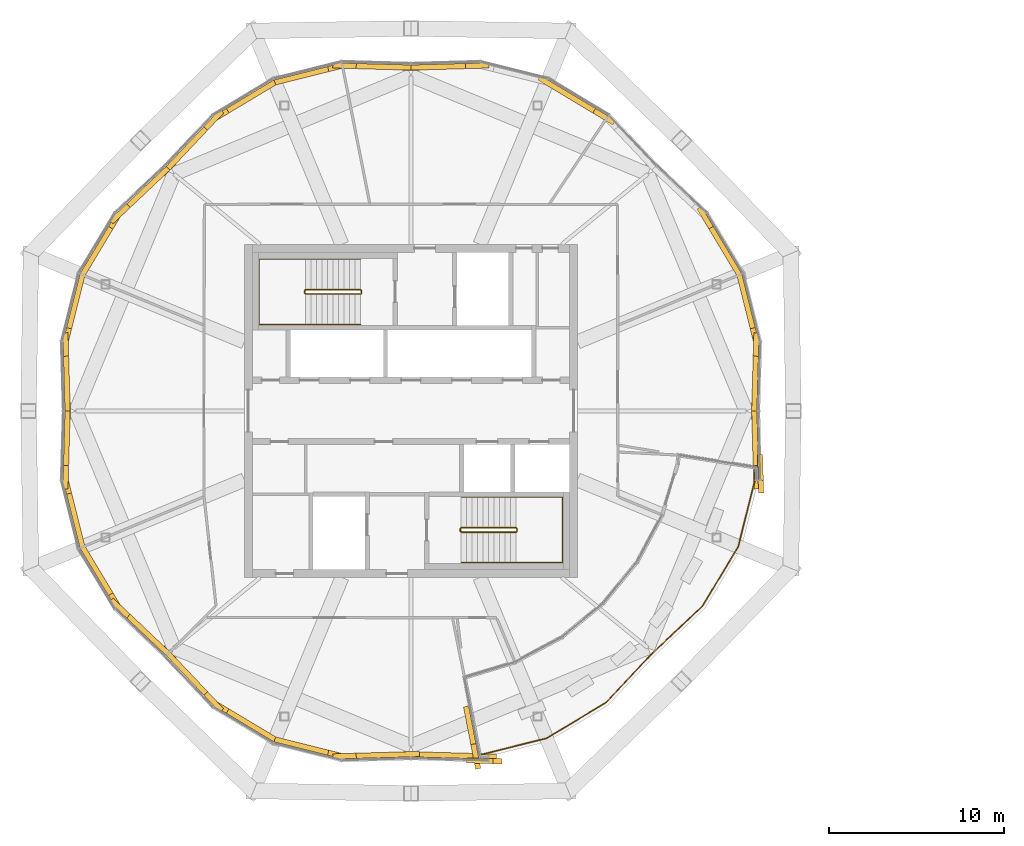
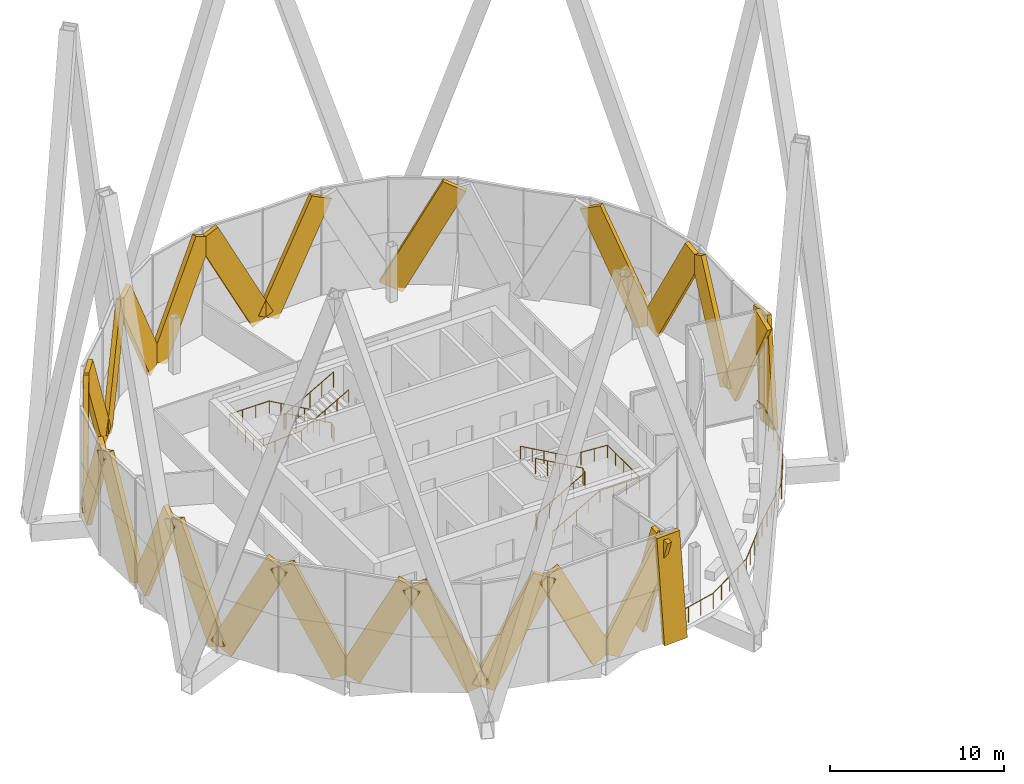
# One storey, part 51 of 53: 26 coverings, 5 railings.
"""IFC4 building model written with IfcOpenShell, lengths in metres."""

from ifc_helpers import new_model, si_unit, direction, frame, origin, origin_2d, place, context, subcontext, project, spatial, rectangle, circle, extrude, material, material_profile, profile_set, type_object, element, save


model = new_model("IFC4")

# Units and contexts
model_context = context("Model", 3, precision=1e-05, world=origin(), true_north=direction((0.0, 1.0)))
body_context = subcontext(model_context, "Body", "Model", "MODEL_VIEW")
ifc_project = project(units=[si_unit("LENGTHUNIT", "METRE"), si_unit("AREAUNIT", "SQUARE_METRE"), si_unit("VOLUMEUNIT", "CUBIC_METRE"), si_unit("PLANEANGLEUNIT", "RADIAN"), si_unit("MASSUNIT", "GRAM", prefix="KILO")], contexts=[model_context])

# Site, building, storey
site_placement = place(None, origin())
site = spatial("IfcSite", under=ifc_project, at=site_placement, CompositionType="ELEMENT")
building_placement = place(site_placement, origin())
building = spatial("IfcBuilding", under=site, at=building_placement, Name="Ogive Gate Towers", CompositionType="ELEMENT")
storey_placement = place(building_placement, frame((0.0, 0.0, 240.60009765625)))
storey = spatial("IfcBuildingStorey", under=building, at=storey_placement, Name="L57", CompositionType="ELEMENT", Elevation=240.60009765625)

# Coverings
ifc_material_1 = material(Name="Pale metal aluminium", Category="aluminium")
ifc_material_profile = material_profile(ifc_material_1, rectangle(XDim=0.300048828125, YDim=1.5, at=origin_2d()), Name="1500 x 300 pale metal aluminium")
ifc_profile_set = profile_set([ifc_material_profile], Name="Pale metal aluminium")
covering_type = type_object("IfcCoveringType", Name="Facade fin 1500 x 300", PredefinedType="CLADDING", material=ifc_profile_set)
for number, where, z_axis, x_axis, name in (
    (1, (-17.33837890625, 7.88232421875, -0.0068359375), (-0.235608124143, 0.392364882817, 0.889122382223), (-0.857310495392, -0.514799683848, 0.0), "Facade fin"),
    (2, (-17.230712890625, 7.622314453125, -0.0068359375), (0.110829306845, -0.444080094306, 0.889106143599), (0.970240464183, 0.242143432001, 0.0), "Facade fin"),
):
    element("IfcCovering", number, at=place(storey_placement, frame(where, z_axis=z_axis, x_axis=x_axis)), inside=storey, type_object=covering_type, Name=name, PredefinedType="CLADDING", context=body_context, shape_type="SweptSolid", body=[
        extrude(rectangle(XDim=0.300048828125, YDim=1.5, at=origin_2d()), origin(), (0.0, 0.0, 1.0), 8.000732421875),
    ])
for number, where, z_axis, x_axis, name in (
    (3, (-16.4150390625, 0.178466796875, -0.010986328125), (0.012811058162, 0.452086649124, 0.891882020489), (-0.999598731395, 0.028326245669, 0.0), "Facade fin"),
    (4, (-35.821533203125, 19.5849609375, -0.010986328125), (0.452086649124, 0.012811058162, 0.891882020489), (-0.028326245669, 0.999598731395, 0.0), "Facade fin"),
):
    element("IfcCovering", number, at=place(storey_placement, frame(where, z_axis=z_axis, x_axis=x_axis)), inside=storey, type_object=covering_type, Name=name, PredefinedType="CLADDING", context=body_context, shape_type="SweptSolid", body=[
        extrude(rectangle(XDim=0.300048828125, YDim=1.5, at=origin_2d()), origin(), (0.0, 0.0, 1.0), 7.98486328125),
    ])
covering_1_placement = place(storey_placement, frame((-28.11767578125, 18.66162109375, -0.0068359375), z_axis=(0.392364882817, -0.235608124143, 0.889122382223), x_axis=(0.514799683848, 0.857310495392, 0.0)))
element("IfcCovering", 5, at=covering_1_placement, inside=storey, type_object=covering_type, Name="Facade fin", PredefinedType="CLADDING", context=body_context, shape_type="SweptSolid", body=[
    extrude(rectangle(XDim=0.300048828125, YDim=1.5, at=origin_2d()), origin(), (0.0, 0.0, 1.0), 8.000732421875),
])
covering_2_placement = place(storey_placement, frame((-49.722412109375, 13.974853515625, -0.010986328125), z_axis=(0.310616406795, 0.328717097101, 0.891887054454), x_axis=(-0.72683501369, 0.686812101579, 0.0)))
element("IfcCovering", 6, at=covering_2_placement, inside=storey, type_object=covering_type, Name="Facade fin", PredefinedType="CLADDING", context=body_context, shape_type="SweptSolid", body=[
    extrude(rectangle(XDim=0.300048828125, YDim=1.5, at=origin_2d()), origin(), (0.0, 0.0, 1.0), 7.98486328125),
])
for number, where, z_axis, x_axis, name in (
    (7, (-43.88232421875, 18.66162109375, -0.0068359375), (-0.392364882817, -0.235608124143, 0.889122382223), (0.514799683848, -0.857310495392, 0.0), "Facade fin"),
    (8, (-43.622314453125, 18.769287109375, -0.0068359375), (0.444080094306, 0.110829306845, 0.889106143599), (-0.242143432001, 0.970240464183, 0.0), "Facade fin"),
):
    element("IfcCovering", number, at=place(storey_placement, frame(where, z_axis=z_axis, x_axis=x_axis)), inside=storey, type_object=covering_type, Name=name, PredefinedType="CLADDING", context=body_context, shape_type="SweptSolid", body=[
        extrude(rectangle(XDim=0.300048828125, YDim=1.5, at=origin_2d()), origin(), (0.0, 0.0, 1.0), 8.000732421875),
    ])
for number, where, z_axis, x_axis, name in (
    (9, (-36.178466796875, 19.5849609375, -0.010986328125), (-0.452086649124, 0.012811058162, 0.891882020489), (-0.028326245669, -0.999598731395, 0.0), "Facade fin"),
    (10, (-55.5849609375, 0.178466796875, -0.010986328125), (-0.012811058162, 0.452086649124, 0.891882020489), (-0.999598731395, -0.028326245669, 0.0), "Facade fin"),
):
    element("IfcCovering", number, at=place(storey_placement, frame(where, z_axis=z_axis, x_axis=x_axis)), inside=storey, type_object=covering_type, Name=name, PredefinedType="CLADDING", context=body_context, shape_type="SweptSolid", body=[
        extrude(rectangle(XDim=0.300048828125, YDim=1.5, at=origin_2d()), origin(), (0.0, 0.0, 1.0), 7.98486328125),
    ])
for number, where, z_axis, x_axis, name in (
    (11, (-54.769287109375, 7.622314453125, -0.0068359375), (-0.110829306845, -0.444080094306, 0.889106143599), (0.970240464183, -0.242143432001, 0.0), "Facade fin"),
    (12, (-54.66162109375, 7.88232421875, -0.0068359375), (0.235608124143, 0.392364882817, 0.889122382223), (-0.857310495392, 0.514799683848, 0.0), "Facade fin"),
):
    element("IfcCovering", number, at=place(storey_placement, frame(where, z_axis=z_axis, x_axis=x_axis)), inside=storey, type_object=covering_type, Name=name, PredefinedType="CLADDING", context=body_context, shape_type="SweptSolid", body=[
        extrude(rectangle(XDim=0.300048828125, YDim=1.5, at=origin_2d()), origin(), (0.0, 0.0, 1.0), 8.000732421875),
    ])
for number, where, z_axis, x_axis, name in (
    (13, (-49.974853515625, 13.722412109375, -0.010986328125), (-0.328717097101, -0.310616406795, 0.891887054454), (0.686812101579, -0.72683501369, 0.0), "Facade fin"),
    (14, (-49.974853515625, -13.722412109375, -0.010986328125), (-0.328717097101, 0.310616406795, 0.891887054454), (-0.686812101579, -0.72683501369, 0.0), "Facade fin"),
):
    element("IfcCovering", number, at=place(storey_placement, frame(where, z_axis=z_axis, x_axis=x_axis)), inside=storey, type_object=covering_type, Name=name, PredefinedType="CLADDING", context=body_context, shape_type="SweptSolid", body=[
        extrude(rectangle(XDim=0.300048828125, YDim=1.5, at=origin_2d()), origin(), (0.0, 0.0, 1.0), 7.98486328125),
    ])
for number, where, z_axis, x_axis, name in (
    (15, (-54.66162109375, -7.88232421875, -0.0068359375), (0.235608124143, -0.392364882817, 0.889122382223), (0.857310495392, 0.514799683848, 0.0), "Facade fin"),
    (16, (-54.769287109375, -7.622314453125, -0.0068359375), (-0.110829306845, 0.444080094306, 0.889106143599), (-0.970240464183, -0.242143432001, 0.0), "Facade fin"),
):
    element("IfcCovering", number, at=place(storey_placement, frame(where, z_axis=z_axis, x_axis=x_axis)), inside=storey, type_object=covering_type, Name=name, PredefinedType="CLADDING", context=body_context, shape_type="SweptSolid", body=[
        extrude(rectangle(XDim=0.300048828125, YDim=1.5, at=origin_2d()), origin(), (0.0, 0.0, 1.0), 8.000732421875),
    ])
for number, where, z_axis, x_axis, name in (
    (17, (-55.5849609375, -0.178466796875, -0.010986328125), (-0.012811058162, -0.452086649124, 0.891882020489), (0.999598731395, -0.028326245669, 0.0), "Facade fin"),
    (18, (-36.178466796875, -19.5849609375, -0.010986328125), (-0.452086649124, -0.012811058162, 0.891882020489), (0.028326245669, -0.999598731395, 0.0), "Facade fin"),
):
    element("IfcCovering", number, at=place(storey_placement, frame(where, z_axis=z_axis, x_axis=x_axis)), inside=storey, type_object=covering_type, Name=name, PredefinedType="CLADDING", context=body_context, shape_type="SweptSolid", body=[
        extrude(rectangle(XDim=0.300048828125, YDim=1.5, at=origin_2d()), origin(), (0.0, 0.0, 1.0), 7.98486328125),
    ])
for number, where, z_axis, x_axis, name in (
    (19, (-43.622314453125, -18.769287109375, -0.0068359375), (0.444080094306, -0.110829306845, 0.889106143599), (0.242143432001, 0.970240464183, 0.0), "Facade fin"),
    (20, (-43.88232421875, -18.66162109375, -0.0068359375), (-0.392364882817, 0.235608124143, 0.889122382223), (-0.514799683848, -0.857310495392, 0.0), "Facade fin"),
):
    element("IfcCovering", number, at=place(storey_placement, frame(where, z_axis=z_axis, x_axis=x_axis)), inside=storey, type_object=covering_type, Name=name, PredefinedType="CLADDING", context=body_context, shape_type="SweptSolid", body=[
        extrude(rectangle(XDim=0.300048828125, YDim=1.5, at=origin_2d()), origin(), (0.0, 0.0, 1.0), 8.000732421875),
    ])
covering_3_placement = place(storey_placement, frame((-49.722412109375, -13.974853515625, -0.010986328125), z_axis=(0.310616406795, -0.328717097101, 0.891887054454), x_axis=(0.72683501369, 0.686812101579, 0.0)))
element("IfcCovering", 21, at=covering_3_placement, inside=storey, type_object=covering_type, Name="Facade fin", PredefinedType="CLADDING", context=body_context, shape_type="SweptSolid", body=[
    extrude(rectangle(XDim=0.300048828125, YDim=1.5, at=origin_2d()), origin(), (0.0, 0.0, 1.0), 7.98486328125),
])
covering_4_placement = place(storey_placement, frame((-32.717529296875, -17.567626953125, -0.137939453125), z_axis=(0.053970782699, -0.277790793306, 0.959124303607), x_axis=(0.981644572077, 0.190719516861, 0.0)))
element("IfcCovering", 22, at=covering_4_placement, inside=storey, type_object=covering_type, Name="Facade fin", PredefinedType="CLADDING", context=body_context, shape_type="SweptSolid", body=[
    extrude(rectangle(XDim=0.300048828125, YDim=1.5, at=origin_2d()), origin(), (0.0, 0.0, 1.0), 7.690185546875),
])
covering_5_placement = place(storey_placement, frame((-31.564208984375, -19.9658203125, -0.301025390625), z_axis=(-0.065286492544, 0.001866232103, 0.997864816029), x_axis=(-0.028573599704, -0.999591691342, 0.0)))
element("IfcCovering", 23, at=covering_5_placement, inside=storey, type_object=covering_type, Name="Facade fin", PredefinedType="CLADDING", context=body_context, shape_type="SweptSolid", body=[
    extrude(rectangle(XDim=0.300048828125, YDim=1.5, at=origin_2d()), origin(), (0.0, 0.0, 1.0), 7.718505859375),
])
covering_6_placement = place(storey_placement, frame((-35.7822265625, -19.586181640625, 0.02099609375), z_axis=(0.494629590755, -0.014007741677, 0.868990995997), x_axis=(0.028308310276, 0.99959923948, 0.0)))
element("IfcCovering", 24, at=covering_6_placement, inside=storey, type_object=covering_type, Name="Facade fin", PredefinedType="CLADDING", context=body_context, shape_type="SweptSolid", body=[
    extrude(rectangle(XDim=0.300048828125, YDim=1.5, at=origin_2d()), origin(), (0.0, 0.0, 1.0), 8.121826171875),
])
covering_7_placement = place(storey_placement, frame((-16.4150390625, -0.177490234375, -0.01171875), z_axis=(0.012786518145, -0.45083182875, 0.892517320358), x_axis=(0.999598039342, 0.028350656836, 0.0)))
element("IfcCovering", 25, at=covering_7_placement, inside=storey, type_object=covering_type, Name="Facade fin", PredefinedType="CLADDING", context=body_context, shape_type="SweptSolid", body=[
    extrude(rectangle(XDim=0.300048828125, YDim=1.5, at=origin_2d()), origin(), (0.0, 0.0, 1.0), 7.981201171875),
])
covering_8_placement = place(storey_placement, frame((-16.048583984375, -3.9326171875, -0.28076171875), z_axis=(-0.002601851458, 0.092429186549, 0.995715860998), x_axis=(-0.999604033239, -0.028138527541, 0.0)))
element("IfcCovering", 26, at=covering_8_placement, inside=storey, type_object=covering_type, Name="Facade fin", PredefinedType="CLADDING", context=body_context, shape_type="SweptSolid", body=[
    extrude(rectangle(XDim=0.300048828125, YDim=1.5, at=origin_2d()), origin(), (0.0, 0.0, 1.0), 7.6943359375),
])

# Railings
ifc_material_2 = material(Name="Stainless steel", Category="steel")
railing_type_1 = type_object("IfcRailingType", Name="Guard 1100", PredefinedType="GUARDRAIL", material=ifc_material_2)
railing_1_placement = place(storey_placement, frame((-16.401123046875, -3.1416015625, 0.0)))
element("IfcRailing", 27, at=railing_1_placement, inside=storey, type_object=railing_type_1, Name="Sky garden guard", PredefinedType="GUARDRAIL", context=body_context, shape_type="SweptSolid", body=[
    extrude(circle(Radius=0.02392578125, at=origin_2d()), frame((0.0, 0.0, 1.076171875), z_axis=(0.028497193734, -0.999593872505, 0.0), x_axis=(0.999593872505, 0.028497193734, 0.0)), (0.0, 0.0, 1.0), 0.779541015625),
    extrude(circle(Radius=0.02392578125, at=origin_2d()), frame((0.022216796875, -0.779296875, 1.076171875), z_axis=(-0.242140863706, -0.97024110515, 0.0), x_axis=(0.97024110515, -0.242140863706, 0.0)), (0.0, 0.0, 1.0), 3.92919921875),
    extrude(circle(Radius=0.02392578125, at=origin_2d()), frame((-0.92919921875, -4.591552734375, 1.076171875), z_axis=(-0.514852074511, -0.857279033554, 0.0), x_axis=(0.857279033554, -0.514852074511, 0.0)), (0.0, 0.0, 1.0), 3.92919921875),
    extrude(circle(Radius=0.02392578125, at=origin_2d()), frame((-2.9521484375, -7.9599609375, 1.076171875), z_axis=(-0.72683162751, -0.686815685064, 0.0), x_axis=(0.686815685064, -0.72683162751, 0.0)), (0.0, 0.0, 1.0), 3.9169921875),
    extrude(circle(Radius=0.02392578125, at=origin_2d()), frame((-5.799072265625, -10.650146484375, 1.076171875), z_axis=(-0.686875333768, -0.726775258151, 0.0), x_axis=(0.726775258151, -0.686875333768, 0.0)), (0.0, 0.0, 1.0), 3.92822265625),
    extrude(circle(Radius=0.02392578125, at=origin_2d()), frame((-8.497314453125, -13.505126953125, 1.076171875), z_axis=(-0.857279033554, -0.514852074511, 0.0), x_axis=(0.514852074511, -0.857279033554, 0.0)), (0.0, 0.0, 1.0), 3.92919921875),
    extrude(circle(Radius=0.02392578125, at=origin_2d()), frame((-11.86572265625, -15.528076171875, 1.076171875), z_axis=(-0.97024110515, -0.242140863706, 0.0), x_axis=(0.242140863706, -0.97024110515, 0.0)), (0.0, 0.0, 1.0), 3.92919921875),
    extrude(circle(Radius=0.02392578125, at=origin_2d()), frame((-15.677978515625, -16.4794921875, 1.076171875), z_axis=(-0.999515863021, 0.031113334257, 0.0), x_axis=(-0.031113334257, -0.999515863021, 0.0)), (0.0, 0.0, 1.0), 0.062744140625),
    extrude(circle(Radius=0.02099609375, at=origin_2d()), origin(), (0.0, 0.0, 1.0), 1.052001953125),
    extrude(circle(Radius=0.02099609375, at=origin_2d()), frame((0.022216796875, -0.779296875, 0.0)), (0.0, 0.0, 1.0), 1.052001953125),
    extrude(circle(Radius=0.02099609375, at=origin_2d()), frame((-0.215576171875, -1.732421875, 0.0)), (0.0, 0.0, 1.0), 1.052001953125),
    extrude(circle(Radius=0.02099609375, at=origin_2d()), frame((-0.45361328125, -2.685546875, 0.0)), (0.0, 0.0, 1.0), 1.052001953125),
    extrude(circle(Radius=0.02099609375, at=origin_2d()), frame((-0.69140625, -3.638427734375, 0.0)), (0.0, 0.0, 1.0), 1.052001953125),
    extrude(circle(Radius=0.02099609375, at=origin_2d()), frame((-0.92919921875, -4.591552734375, 0.0)), (0.0, 0.0, 1.0), 1.052001953125),
    extrude(circle(Radius=0.02099609375, at=origin_2d()), frame((-1.43505859375, -5.43359375, 0.0)), (0.0, 0.0, 1.0), 1.052001953125),
    extrude(circle(Radius=0.02099609375, at=origin_2d()), frame((-1.940673828125, -6.27587890625, 0.0)), (0.0, 0.0, 1.0), 1.052001953125),
    extrude(circle(Radius=0.02099609375, at=origin_2d()), frame((-2.4462890625, -7.117919921875, 0.0)), (0.0, 0.0, 1.0), 1.052001953125),
    extrude(circle(Radius=0.02099609375, at=origin_2d()), frame((-2.9521484375, -7.9599609375, 0.0)), (0.0, 0.0, 1.0), 1.052001953125),
    extrude(circle(Radius=0.02099609375, at=origin_2d()), frame((-3.663818359375, -8.632568359375, 0.0)), (0.0, 0.0, 1.0), 1.052001953125),
    extrude(circle(Radius=0.02099609375, at=origin_2d()), frame((-4.37548828125, -9.30517578125, 0.0)), (0.0, 0.0, 1.0), 1.052001953125),
    extrude(circle(Radius=0.02099609375, at=origin_2d()), frame((-5.08740234375, -9.9775390625, 0.0)), (0.0, 0.0, 1.0), 1.052001953125),
    extrude(circle(Radius=0.02099609375, at=origin_2d()), frame((-5.799072265625, -10.650146484375, 0.0)), (0.0, 0.0, 1.0), 1.052001953125),
    extrude(circle(Radius=0.02099609375, at=origin_2d()), frame((-6.4736328125, -11.36376953125, 0.0)), (0.0, 0.0, 1.0), 1.052001953125),
    extrude(circle(Radius=0.02099609375, at=origin_2d()), frame((-7.148193359375, -12.07763671875, 0.0)), (0.0, 0.0, 1.0), 1.052001953125),
    extrude(circle(Radius=0.02099609375, at=origin_2d()), frame((-7.82275390625, -12.79150390625, 0.0)), (0.0, 0.0, 1.0), 1.052001953125),
    extrude(circle(Radius=0.02099609375, at=origin_2d()), frame((-8.497314453125, -13.505126953125, 0.0)), (0.0, 0.0, 1.0), 1.052001953125),
    extrude(circle(Radius=0.02099609375, at=origin_2d()), frame((-9.33935546875, -14.0107421875, 0.0)), (0.0, 0.0, 1.0), 1.052001953125),
    extrude(circle(Radius=0.02099609375, at=origin_2d()), frame((-10.181640625, -14.5166015625, 0.0)), (0.0, 0.0, 1.0), 1.052001953125),
    extrude(circle(Radius=0.02099609375, at=origin_2d()), frame((-11.023681640625, -15.0224609375, 0.0)), (0.0, 0.0, 1.0), 1.052001953125),
    extrude(circle(Radius=0.02099609375, at=origin_2d()), frame((-11.86572265625, -15.528076171875, 0.0)), (0.0, 0.0, 1.0), 1.052001953125),
    extrude(circle(Radius=0.02099609375, at=origin_2d()), frame((-12.81884765625, -15.765869140625, 0.0)), (0.0, 0.0, 1.0), 1.052001953125),
    extrude(circle(Radius=0.02099609375, at=origin_2d()), frame((-13.77197265625, -16.00390625, 0.0)), (0.0, 0.0, 1.0), 1.052001953125),
    extrude(circle(Radius=0.02099609375, at=origin_2d()), frame((-14.724853515625, -16.24169921875, 0.0)), (0.0, 0.0, 1.0), 1.052001953125),
    extrude(circle(Radius=0.02099609375, at=origin_2d()), frame((-15.677978515625, -16.4794921875, 0.0)), (0.0, 0.0, 1.0), 1.052001953125),
    extrude(circle(Radius=0.02099609375, at=origin_2d()), frame((-15.74072265625, -16.4775390625, 0.0)), (0.0, 0.0, 1.0), 1.052001953125),
])
railing_type_2 = type_object("IfcRailingType", Name="Stair guard 1100", PredefinedType="GUARDRAIL", material=ifc_material_2)
railing_2_placement = place(storey_placement, frame((-38.81494140625, 6.860107421875, 0.0)))
element("IfcRailing", 28, at=railing_2_placement, inside=storey, type_object=railing_type_2, Name="L57 ST1 stair guard 1", PredefinedType="GUARDRAIL", context=body_context, shape_type="SweptSolid", body=[
    extrude(circle(Radius=0.02392578125, at=origin_2d()), frame((0.0, 0.0, 1.076171875), z_axis=(0.0, -1.0, 0.0), x_axis=(1.0, 0.0, 0.0)), (0.0, 0.0, 1.0), 0.14501953125),
    extrude(circle(Radius=0.02392578125, at=origin_2d()), frame((0.0, -0.14501953125, 1.076171875), z_axis=(-0.186679794065, 0.726685247142, 0.661119660934), x_axis=(-0.968551454522, -0.24881334358, 0.0)), (0.0, 0.0, 1.0), 0.26806640625),
    extrude(circle(Radius=0.02392578125, at=origin_2d()), frame((-0.050048828125, 0.0498046875, 1.25341796875), z_axis=(-0.870572935281, 0.0, 0.492039393094), x_axis=(0.0, -1.0, 0.0)), (0.0, 0.0, 1.0), 3.602783203125),
    extrude(circle(Radius=0.02392578125, at=origin_2d()), frame((-3.1865234375, 0.0498046875, 3.02587890625), z_axis=(-0.707106781187, -0.707106781187, 0.0), x_axis=(0.707106781187, -0.707106781187, 0.0)), (0.0, 0.0, 1.0), 0.0703125),
    extrude(circle(Radius=0.02392578125, at=origin_2d()), frame((-3.236328125, 0.0, 3.02587890625), z_axis=(0.0, -1.0, 0.0), x_axis=(1.0, 0.0, 0.0)), (0.0, 0.0, 1.0), 0.14501953125),
    extrude(circle(Radius=0.02392578125, at=origin_2d()), frame((-3.236328125, -0.14501953125, 3.02587890625), z_axis=(0.261041864531, -0.262321481514, 0.929001929653), x_axis=(0.708833529934, 0.705375805398, 0.0)), (0.0, 0.0, 1.0), 0.190673828125),
    extrude(circle(Radius=0.02392578125, at=origin_2d()), frame((-3.1865234375, -0.195068359375, 3.203125), z_axis=(0.870572935281, 0.0, 0.492039393094), x_axis=(0.0, 1.0, 0.0)), (0.0, 0.0, 1.0), 3.602783203125),
    extrude(circle(Radius=0.02099609375, at=origin_2d()), origin(), (0.0, 0.0, 1.0), 1.052001953125),
    extrude(circle(Radius=0.02099609375, at=origin_2d()), frame((0.0, -0.14501953125, 0.0)), (0.0, 0.0, 1.0), 1.052001953125),
    extrude(circle(Radius=0.02099609375, at=origin_2d()), frame((-0.050048828125, 0.0498046875, 0.17724609375)), (0.0, 0.0, 1.0), 1.052001953125),
    extrude(circle(Radius=0.02099609375, at=origin_2d()), frame((-0.834228515625, 0.0498046875, 0.620361328125)), (0.0, 0.0, 1.0), 1.052001953125),
    extrude(circle(Radius=0.02099609375, at=origin_2d()), frame((-1.6181640625, 0.0498046875, 1.0634765625)), (0.0, 0.0, 1.0), 1.052001953125),
    extrude(circle(Radius=0.02099609375, at=origin_2d()), frame((-2.40234375, 0.0498046875, 1.5068359375)), (0.0, 0.0, 1.0), 1.052001953125),
    extrude(circle(Radius=0.02099609375, at=origin_2d()), frame((-3.1865234375, 0.0498046875, 1.949951171875)), (0.0, 0.0, 1.0), 1.052001953125),
    extrude(circle(Radius=0.02099609375, at=origin_2d()), frame((-3.236328125, 0.0, 1.949951171875)), (0.0, 0.0, 1.0), 1.052001953125),
    extrude(circle(Radius=0.02099609375, at=origin_2d()), frame((-3.236328125, -0.14501953125, 1.949951171875)), (0.0, 0.0, 1.0), 1.052001953125),
    extrude(circle(Radius=0.02099609375, at=origin_2d()), frame((-3.1865234375, -0.195068359375, 2.127197265625)), (0.0, 0.0, 1.0), 1.052001953125),
    extrude(circle(Radius=0.02099609375, at=origin_2d()), frame((-2.40234375, -0.195068359375, 2.5703125)), (0.0, 0.0, 1.0), 1.052001953125),
    extrude(circle(Radius=0.02099609375, at=origin_2d()), frame((-1.6181640625, -0.195068359375, 3.013671875)), (0.0, 0.0, 1.0), 1.052001953125),
    extrude(circle(Radius=0.02099609375, at=origin_2d()), frame((-0.834228515625, -0.195068359375, 3.456787109375)), (0.0, 0.0, 1.0), 1.052001953125),
    extrude(circle(Radius=0.02099609375, at=origin_2d()), frame((-0.050048828125, -0.195068359375, 3.89990234375)), (0.0, 0.0, 1.0), 1.052001953125),
])
railing_3_placement = place(storey_placement, frame((-33.18505859375, -6.860107421875, 0.0)))
element("IfcRailing", 29, at=railing_3_placement, inside=storey, type_object=railing_type_2, Name="L57 ST2 stair guard 1", PredefinedType="GUARDRAIL", context=body_context, shape_type="SweptSolid", body=[
    extrude(circle(Radius=0.02392578125, at=origin_2d()), frame((0.0, 0.0, 1.076171875), z_axis=(0.0, 1.0, 0.0), x_axis=(-1.0, 0.0, 0.0)), (0.0, 0.0, 1.0), 0.14501953125),
    extrude(circle(Radius=0.02392578125, at=origin_2d()), frame((0.0, 0.14501953125, 1.076171875), z_axis=(0.186679794065, -0.726685247142, 0.661119660934), x_axis=(0.968551454522, 0.24881334358, 0.0)), (0.0, 0.0, 1.0), 0.26806640625),
    extrude(circle(Radius=0.02392578125, at=origin_2d()), frame((0.050048828125, -0.0498046875, 1.25341796875), z_axis=(0.870572935281, 0.0, 0.492039393094), x_axis=(0.0, 1.0, 0.0)), (0.0, 0.0, 1.0), 3.602783203125),
    extrude(circle(Radius=0.02392578125, at=origin_2d()), frame((3.1865234375, -0.0498046875, 3.02587890625), z_axis=(0.707106781187, 0.707106781187, 0.0), x_axis=(-0.707106781187, 0.707106781187, 0.0)), (0.0, 0.0, 1.0), 0.0703125),
    extrude(circle(Radius=0.02392578125, at=origin_2d()), frame((3.236328125, 0.0, 3.02587890625), z_axis=(0.0, 1.0, 0.0), x_axis=(-1.0, 0.0, 0.0)), (0.0, 0.0, 1.0), 0.14501953125),
    extrude(circle(Radius=0.02392578125, at=origin_2d()), frame((3.236328125, 0.14501953125, 3.02587890625), z_axis=(-0.261041864531, 0.262321481514, 0.929001929653), x_axis=(-0.708833529934, -0.705375805398, 0.0)), (0.0, 0.0, 1.0), 0.190673828125),
    extrude(circle(Radius=0.02392578125, at=origin_2d()), frame((3.1865234375, 0.195068359375, 3.203125), z_axis=(-0.870572935281, 0.0, 0.492039393094), x_axis=(0.0, -1.0, 0.0)), (0.0, 0.0, 1.0), 3.602783203125),
    extrude(circle(Radius=0.02099609375, at=origin_2d()), origin(), (0.0, 0.0, 1.0), 1.052001953125),
    extrude(circle(Radius=0.02099609375, at=origin_2d()), frame((0.0, 0.14501953125, 0.0)), (0.0, 0.0, 1.0), 1.052001953125),
    extrude(circle(Radius=0.02099609375, at=origin_2d()), frame((0.050048828125, -0.0498046875, 0.17724609375)), (0.0, 0.0, 1.0), 1.052001953125),
    extrude(circle(Radius=0.02099609375, at=origin_2d()), frame((0.834228515625, -0.0498046875, 0.620361328125)), (0.0, 0.0, 1.0), 1.052001953125),
    extrude(circle(Radius=0.02099609375, at=origin_2d()), frame((1.6181640625, -0.0498046875, 1.0634765625)), (0.0, 0.0, 1.0), 1.052001953125),
    extrude(circle(Radius=0.02099609375, at=origin_2d()), frame((2.40234375, -0.0498046875, 1.5068359375)), (0.0, 0.0, 1.0), 1.052001953125),
    extrude(circle(Radius=0.02099609375, at=origin_2d()), frame((3.1865234375, -0.0498046875, 1.949951171875)), (0.0, 0.0, 1.0), 1.052001953125),
    extrude(circle(Radius=0.02099609375, at=origin_2d()), frame((3.236328125, 0.0, 1.949951171875)), (0.0, 0.0, 1.0), 1.052001953125),
    extrude(circle(Radius=0.02099609375, at=origin_2d()), frame((3.236328125, 0.14501953125, 1.949951171875)), (0.0, 0.0, 1.0), 1.052001953125),
    extrude(circle(Radius=0.02099609375, at=origin_2d()), frame((3.1865234375, 0.195068359375, 2.127197265625)), (0.0, 0.0, 1.0), 1.052001953125),
    extrude(circle(Radius=0.02099609375, at=origin_2d()), frame((2.40234375, 0.195068359375, 2.5703125)), (0.0, 0.0, 1.0), 1.052001953125),
    extrude(circle(Radius=0.02099609375, at=origin_2d()), frame((1.6181640625, 0.195068359375, 3.013671875)), (0.0, 0.0, 1.0), 1.052001953125),
    extrude(circle(Radius=0.02099609375, at=origin_2d()), frame((0.834228515625, 0.195068359375, 3.456787109375)), (0.0, 0.0, 1.0), 1.052001953125),
    extrude(circle(Radius=0.02099609375, at=origin_2d()), frame((0.050048828125, 0.195068359375, 3.89990234375)), (0.0, 0.0, 1.0), 1.052001953125),
])
railing_type_3 = type_object("IfcRailingType", Name="Stair handrail 900", PredefinedType="HANDRAIL", material=ifc_material_2)
railing_4_placement = place(storey_placement, frame((-38.864990234375, 8.64990234375, 0.17724609375)))
element("IfcRailing", 30, at=railing_4_placement, inside=storey, type_object=railing_type_3, Name="L57 ST1 stair handrail 1", PredefinedType="HANDRAIL", context=body_context, shape_type="SweptSolid", body=[
    extrude(circle(Radius=0.02392578125, at=origin_2d()), frame((0.0, 0.0, 0.8759765625), z_axis=(-0.870572935281, 0.0, 0.492039393094), x_axis=(0.0, -1.0, 0.0)), (0.0, 0.0, 1.0), 3.602783203125),
    extrude(circle(Radius=0.02392578125, at=origin_2d()), frame((-3.136474609375, 0.0, 2.6484375), z_axis=(-1.0, 0.0, 0.0), x_axis=(0.0, -1.0, 0.0)), (0.0, 0.0, 1.0), 2.6484375),
    extrude(circle(Radius=0.02392578125, at=origin_2d()), frame((-5.784912109375, 0.0, 2.6484375), z_axis=(0.0, -1.0, 0.0), x_axis=(1.0, 0.0, 0.0)), (0.0, 0.0, 1.0), 3.724853515625),
    extrude(circle(Radius=0.02392578125, at=origin_2d()), frame((-5.784912109375, -3.724853515625, 2.6484375), z_axis=(0.997768031817, 0.0, 0.066775404784), x_axis=(0.0, 1.0, 0.0)), (0.0, 0.0, 1.0), 2.654296875),
    extrude(circle(Radius=0.02392578125, at=origin_2d()), frame((-3.136474609375, -3.724853515625, 2.82568359375), z_axis=(0.870572935281, 0.0, 0.492039393094), x_axis=(0.0, 1.0, 0.0)), (0.0, 0.0, 1.0), 3.602783203125),
    extrude(circle(Radius=0.02099609375, at=origin_2d()), origin(), (0.0, 0.0, 1.0), 0.851806640625),
    extrude(circle(Radius=0.02099609375, at=origin_2d()), frame((-0.7841796875, 0.0, 0.443115234375)), (0.0, 0.0, 1.0), 0.851806640625),
    extrude(circle(Radius=0.02099609375, at=origin_2d()), frame((-1.568359375, 0.0, 0.88623046875)), (0.0, 0.0, 1.0), 0.851806640625),
    extrude(circle(Radius=0.02099609375, at=origin_2d()), frame((-2.352294921875, 0.0, 1.32958984375)), (0.0, 0.0, 1.0), 0.851806640625),
    extrude(circle(Radius=0.02099609375, at=origin_2d()), frame((-3.136474609375, 0.0, 1.772705078125)), (0.0, 0.0, 1.0), 0.851806640625),
    extrude(circle(Radius=0.02099609375, at=origin_2d()), frame((-4.019287109375, 0.0, 1.772705078125)), (0.0, 0.0, 1.0), 0.851806640625),
    extrude(circle(Radius=0.02099609375, at=origin_2d()), frame((-4.902099609375, 0.0, 1.772705078125)), (0.0, 0.0, 1.0), 0.851806640625),
    extrude(circle(Radius=0.02099609375, at=origin_2d()), frame((-5.784912109375, 0.0, 1.772705078125)), (0.0, 0.0, 1.0), 0.851806640625),
    extrude(circle(Radius=0.02099609375, at=origin_2d()), frame((-5.784912109375, -0.93115234375, 1.772705078125)), (0.0, 0.0, 1.0), 0.851806640625),
    extrude(circle(Radius=0.02099609375, at=origin_2d()), frame((-5.784912109375, -1.8623046875, 1.772705078125)), (0.0, 0.0, 1.0), 0.851806640625),
    extrude(circle(Radius=0.02099609375, at=origin_2d()), frame((-5.784912109375, -2.793701171875, 1.772705078125)), (0.0, 0.0, 1.0), 0.851806640625),
    extrude(circle(Radius=0.02099609375, at=origin_2d()), frame((-5.784912109375, -3.724853515625, 1.772705078125)), (0.0, 0.0, 1.0), 0.851806640625),
    extrude(circle(Radius=0.02099609375, at=origin_2d()), frame((-4.902099609375, -3.724853515625, 1.831787109375)), (0.0, 0.0, 1.0), 0.851806640625),
    extrude(circle(Radius=0.02099609375, at=origin_2d()), frame((-4.019287109375, -3.724853515625, 1.890869140625)), (0.0, 0.0, 1.0), 0.851806640625),
    extrude(circle(Radius=0.02099609375, at=origin_2d()), frame((-3.136474609375, -3.724853515625, 1.949951171875)), (0.0, 0.0, 1.0), 0.851806640625),
    extrude(circle(Radius=0.02099609375, at=origin_2d()), frame((-2.352294921875, -3.724853515625, 2.39306640625)), (0.0, 0.0, 1.0), 0.851806640625),
    extrude(circle(Radius=0.02099609375, at=origin_2d()), frame((-1.568359375, -3.724853515625, 2.83642578125)), (0.0, 0.0, 1.0), 0.851806640625),
    extrude(circle(Radius=0.02099609375, at=origin_2d()), frame((-0.7841796875, -3.724853515625, 3.279541015625)), (0.0, 0.0, 1.0), 0.851806640625),
    extrude(circle(Radius=0.02099609375, at=origin_2d()), frame((0.0, -3.724853515625, 3.72265625)), (0.0, 0.0, 1.0), 0.851806640625),
])
railing_5_placement = place(storey_placement, frame((-33.135009765625, -8.64990234375, 0.17724609375)))
element("IfcRailing", 31, at=railing_5_placement, inside=storey, type_object=railing_type_3, Name="L57 ST2 stair handrail 1", PredefinedType="HANDRAIL", context=body_context, shape_type="SweptSolid", body=[
    extrude(circle(Radius=0.02392578125, at=origin_2d()), frame((0.0, 0.0, 0.8759765625), z_axis=(0.870572935281, 0.0, 0.492039393094), x_axis=(0.0, 1.0, 0.0)), (0.0, 0.0, 1.0), 3.602783203125),
    extrude(circle(Radius=0.02392578125, at=origin_2d()), frame((3.136474609375, 0.0, 2.6484375), z_axis=(1.0, 0.0, 0.0), x_axis=(0.0, 1.0, 0.0)), (0.0, 0.0, 1.0), 2.6484375),
    extrude(circle(Radius=0.02392578125, at=origin_2d()), frame((5.784912109375, 0.0, 2.6484375), z_axis=(0.0, 1.0, 0.0), x_axis=(-1.0, 0.0, 0.0)), (0.0, 0.0, 1.0), 3.724853515625),
    extrude(circle(Radius=0.02392578125, at=origin_2d()), frame((5.784912109375, 3.724853515625, 2.6484375), z_axis=(-0.997768031817, 0.0, 0.066775404784), x_axis=(0.0, -1.0, 0.0)), (0.0, 0.0, 1.0), 2.654296875),
    extrude(circle(Radius=0.02392578125, at=origin_2d()), frame((3.136474609375, 3.724853515625, 2.82568359375), z_axis=(-0.870572935281, 0.0, 0.492039393094), x_axis=(0.0, -1.0, 0.0)), (0.0, 0.0, 1.0), 3.602783203125),
    extrude(circle(Radius=0.02099609375, at=origin_2d()), origin(), (0.0, 0.0, 1.0), 0.851806640625),
    extrude(circle(Radius=0.02099609375, at=origin_2d()), frame((0.7841796875, 0.0, 0.443115234375)), (0.0, 0.0, 1.0), 0.851806640625),
    extrude(circle(Radius=0.02099609375, at=origin_2d()), frame((1.568359375, 0.0, 0.88623046875)), (0.0, 0.0, 1.0), 0.851806640625),
    extrude(circle(Radius=0.02099609375, at=origin_2d()), frame((2.352294921875, 0.0, 1.32958984375)), (0.0, 0.0, 1.0), 0.851806640625),
    extrude(circle(Radius=0.02099609375, at=origin_2d()), frame((3.136474609375, 0.0, 1.772705078125)), (0.0, 0.0, 1.0), 0.851806640625),
    extrude(circle(Radius=0.02099609375, at=origin_2d()), frame((4.019287109375, 0.0, 1.772705078125)), (0.0, 0.0, 1.0), 0.851806640625),
    extrude(circle(Radius=0.02099609375, at=origin_2d()), frame((4.902099609375, 0.0, 1.772705078125)), (0.0, 0.0, 1.0), 0.851806640625),
    extrude(circle(Radius=0.02099609375, at=origin_2d()), frame((5.784912109375, 0.0, 1.772705078125)), (0.0, 0.0, 1.0), 0.851806640625),
    extrude(circle(Radius=0.02099609375, at=origin_2d()), frame((5.784912109375, 0.93115234375, 1.772705078125)), (0.0, 0.0, 1.0), 0.851806640625),
    extrude(circle(Radius=0.02099609375, at=origin_2d()), frame((5.784912109375, 1.8623046875, 1.772705078125)), (0.0, 0.0, 1.0), 0.851806640625),
    extrude(circle(Radius=0.02099609375, at=origin_2d()), frame((5.784912109375, 2.793701171875, 1.772705078125)), (0.0, 0.0, 1.0), 0.851806640625),
    extrude(circle(Radius=0.02099609375, at=origin_2d()), frame((5.784912109375, 3.724853515625, 1.772705078125)), (0.0, 0.0, 1.0), 0.851806640625),
    extrude(circle(Radius=0.02099609375, at=origin_2d()), frame((4.902099609375, 3.724853515625, 1.831787109375)), (0.0, 0.0, 1.0), 0.851806640625),
    extrude(circle(Radius=0.02099609375, at=origin_2d()), frame((4.019287109375, 3.724853515625, 1.890869140625)), (0.0, 0.0, 1.0), 0.851806640625),
    extrude(circle(Radius=0.02099609375, at=origin_2d()), frame((3.136474609375, 3.724853515625, 1.949951171875)), (0.0, 0.0, 1.0), 0.851806640625),
    extrude(circle(Radius=0.02099609375, at=origin_2d()), frame((2.352294921875, 3.724853515625, 2.39306640625)), (0.0, 0.0, 1.0), 0.851806640625),
    extrude(circle(Radius=0.02099609375, at=origin_2d()), frame((1.568359375, 3.724853515625, 2.83642578125)), (0.0, 0.0, 1.0), 0.851806640625),
    extrude(circle(Radius=0.02099609375, at=origin_2d()), frame((0.7841796875, 3.724853515625, 3.279541015625)), (0.0, 0.0, 1.0), 0.851806640625),
    extrude(circle(Radius=0.02099609375, at=origin_2d()), frame((0.0, 3.724853515625, 3.72265625)), (0.0, 0.0, 1.0), 0.851806640625),
])

save(model, "model.ifc")
